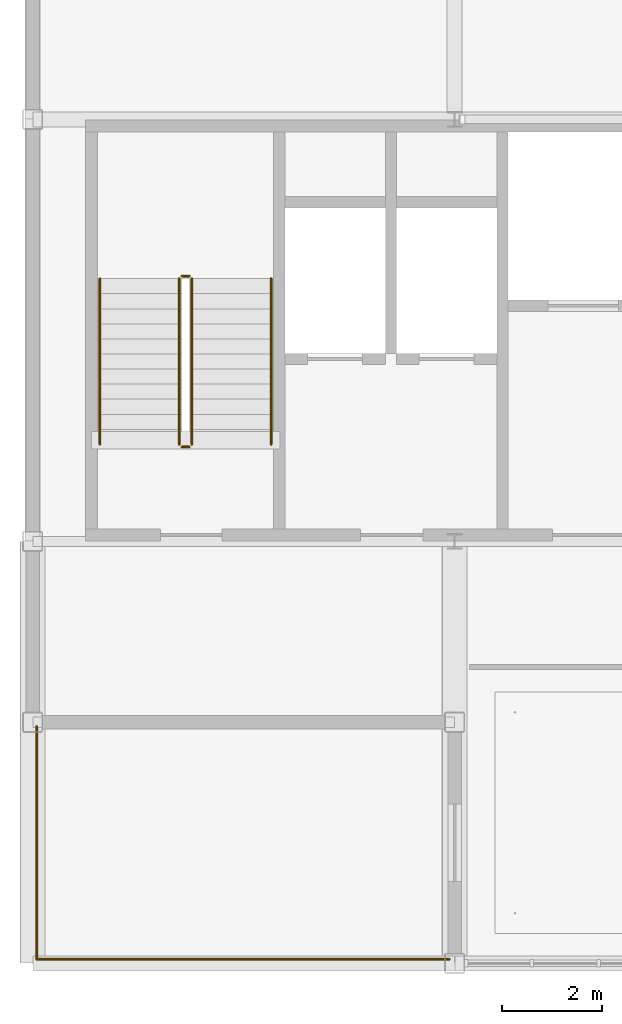
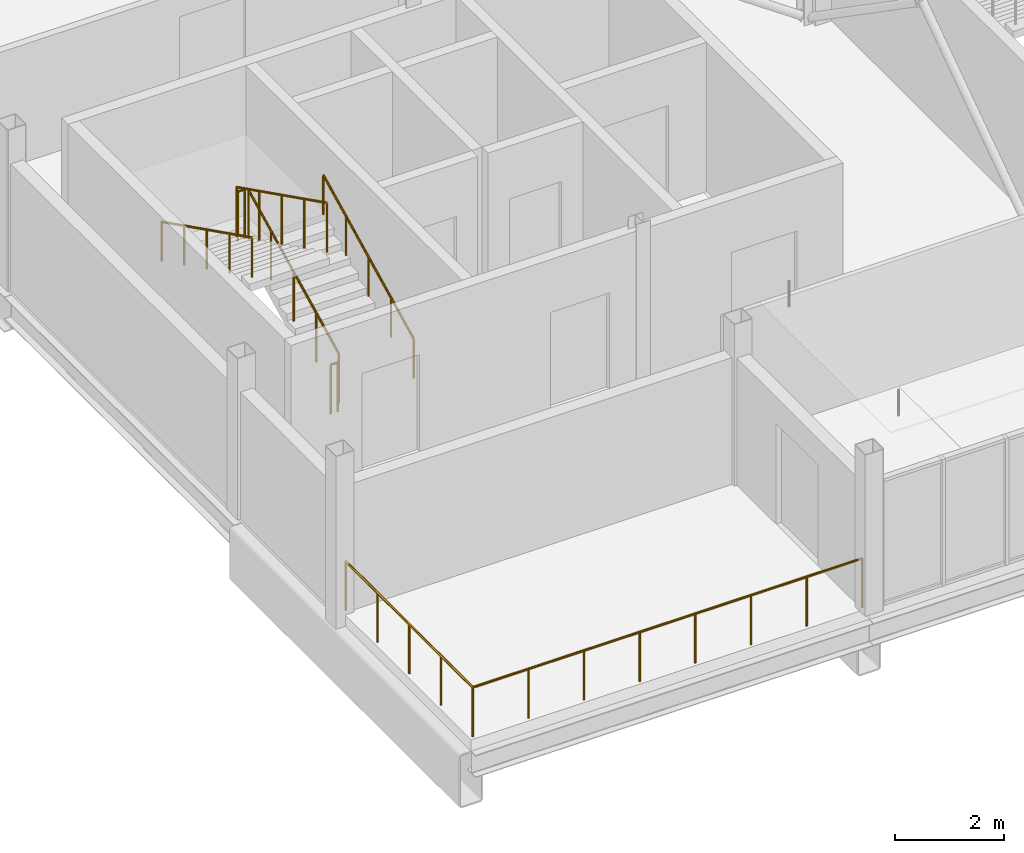
# One storey, part 16 of 17: 7 railings.
"""IFC4 building model written with IfcOpenShell, lengths in metres."""

from ifc_helpers import new_model, si_unit, direction, frame, origin, origin_2d, place, context, subcontext, project, spatial, circle, extrude, material, layer, layer_set, type_object, element, save


model = new_model("IFC4")

# Units and contexts
model_context = context("Model", 3, precision=1e-05, world=origin(), true_north=direction((0.0, 1.0)))
body_context = subcontext(model_context, "Body", "Model", "MODEL_VIEW")
ifc_project = project(units=[si_unit("LENGTHUNIT", "METRE"), si_unit("AREAUNIT", "SQUARE_METRE"), si_unit("VOLUMEUNIT", "CUBIC_METRE"), si_unit("PLANEANGLEUNIT", "RADIAN"), si_unit("MASSUNIT", "GRAM", prefix="KILO")], contexts=[model_context])

# Site, building, storey
site_placement = place(None, origin())
site = spatial("IfcSite", under=ifc_project, at=site_placement, CompositionType="ELEMENT")
building_placement = place(site_placement, origin())
building = spatial("IfcBuilding", under=site, at=building_placement, Name="Yukiwa Park Conservatory and Herbarium", CompositionType="ELEMENT")
storey_placement = place(building_placement, frame((0.0, 0.0, 57.60009765625)))
storey = spatial("IfcBuildingStorey", under=building, at=storey_placement, Name="L15", CompositionType="ELEMENT", Elevation=57.60009765625)

# Railings
ifc_material_1 = material(Name="Steel Q235B", Category="steel")
ifc_layer_1 = layer(ifc_material_1, 0.050048828125)
ifc_layer_set_1 = layer_set([ifc_layer_1], Name="Steel Q235B")
railing_type_1 = type_object("IfcRailingType", Name="RL-STAIR-GUARD-1120", PredefinedType="BALUSTRADE", material=ifc_layer_set_1)
railing_1_placement = place(storey_placement, frame((136.3701171875, 96.72998046875, 0.14990234375)))
element("IfcRailing", 1, at=railing_1_placement, inside=storey, type_object=railing_type_1, Name="L15 ST-T1 stair guard 1", PredefinedType="BALUSTRADE", context=body_context, shape_type="SweptSolid", body=[
    extrude(circle(Radius=0.02392578125, at=origin_2d()), frame((0.0, 0.0, 1.09619140625), z_axis=(0.0, 0.894440424912, 0.447187126696), x_axis=(-1.0, 0.0, 0.0)), (0.0, 0.0, 1.0), 3.689453125),
    extrude(circle(Radius=0.02099609375, at=origin_2d()), origin(), (0.0, 0.0, 1.0), 1.072021484375),
    extrude(circle(Radius=0.02099609375, at=origin_2d()), frame((0.0, 0.824951171875, 0.41259765625)), (0.0, 0.0, 1.0), 1.072021484375),
    extrude(circle(Radius=0.02099609375, at=origin_2d()), frame((0.0, 1.64990234375, 0.824951171875)), (0.0, 0.0, 1.0), 1.072021484375),
    extrude(circle(Radius=0.02099609375, at=origin_2d()), frame((0.0, 2.47509765625, 1.2373046875)), (0.0, 0.0, 1.0), 1.072021484375),
    extrude(circle(Radius=0.02099609375, at=origin_2d()), frame((0.0, 3.300048828125, 1.64990234375)), (0.0, 0.0, 1.0), 1.072021484375),
])
railing_2_placement = place(storey_placement, frame((136.320068359375, 100.080078125, 1.7998046875)))
element("IfcRailing", 2, at=railing_2_placement, inside=storey, type_object=railing_type_1, Name="L15 ST-T1 stair guard 2", PredefinedType="BALUSTRADE", context=body_context, shape_type="SweptSolid", body=[
    extrude(circle(Radius=0.02392578125, at=origin_2d()), frame((0.0, 0.0, 1.09619140625), z_axis=(-1.0, 0.0, 0.0), x_axis=(0.0, -1.0, 0.0)), (0.0, 0.0, 1.0), 0.150146484375),
    extrude(circle(Radius=0.02099609375, at=origin_2d()), origin(), (0.0, 0.0, 1.0), 1.072021484375),
    extrude(circle(Radius=0.02099609375, at=origin_2d()), frame((-0.150146484375, 0.0, 0.0)), (0.0, 0.0, 1.0), 1.072021484375),
])
railing_3_placement = place(storey_placement, frame((136.1201171875, 100.030029296875, 1.949951171875)))
element("IfcRailing", 3, at=railing_3_placement, inside=storey, type_object=railing_type_1, Name="L15 ST-T1 stair guard 3", PredefinedType="BALUSTRADE", context=body_context, shape_type="SweptSolid", body=[
    extrude(circle(Radius=0.02392578125, at=origin_2d()), frame((0.0, 0.0, 1.09619140625), z_axis=(0.0, -0.894440424912, 0.447187126696), x_axis=(1.0, 0.0, 0.0)), (0.0, 0.0, 1.0), 3.689453125),
    extrude(circle(Radius=0.02099609375, at=origin_2d()), origin(), (0.0, 0.0, 1.0), 1.072021484375),
    extrude(circle(Radius=0.02099609375, at=origin_2d()), frame((0.0, -0.824951171875, 0.41259765625)), (0.0, 0.0, 1.0), 1.072021484375),
    extrude(circle(Radius=0.02099609375, at=origin_2d()), frame((0.0, -1.64990234375, 0.824951171875)), (0.0, 0.0, 1.0), 1.072021484375),
    extrude(circle(Radius=0.02099609375, at=origin_2d()), frame((0.0, -2.47509765625, 1.2373046875)), (0.0, 0.0, 1.0), 1.072021484375),
    extrude(circle(Radius=0.02099609375, at=origin_2d()), frame((0.0, -3.300048828125, 1.64990234375)), (0.0, 0.0, 1.0), 1.072021484375),
])
railing_4_placement = place(storey_placement, frame((136.320068359375, 96.679931640625, 0.0)))
element("IfcRailing", 4, at=railing_4_placement, inside=storey, type_object=railing_type_1, Name="L15 ST-T1 stair guard 4", PredefinedType="BALUSTRADE", context=body_context, shape_type="SweptSolid", body=[
    extrude(circle(Radius=0.02392578125, at=origin_2d()), frame((0.0, 0.0, 1.09619140625), z_axis=(-1.0, 0.0, 0.0), x_axis=(0.0, -1.0, 0.0)), (0.0, 0.0, 1.0), 0.150146484375),
    extrude(circle(Radius=0.02099609375, at=origin_2d()), origin(), (0.0, 0.0, 1.0), 1.072021484375),
    extrude(circle(Radius=0.02099609375, at=origin_2d()), frame((-0.150146484375, 0.0, 0.0)), (0.0, 0.0, 1.0), 1.072021484375),
])
ifc_material_2 = material(Name="Steel Q235B", Category="steel")
ifc_layer_2 = layer(ifc_material_2, 0.044921875)
ifc_layer_set_2 = layer_set([ifc_layer_2], Name="Steel Q235B")
railing_type_2 = type_object("IfcRailingType", Name="RL-STAIR-RAIL-900", PredefinedType="HANDRAIL", material=ifc_layer_set_2)
railing_5_placement = place(storey_placement, frame((137.949951171875, 96.72998046875, 0.14990234375)))
element("IfcRailing", 5, at=railing_5_placement, inside=storey, type_object=railing_type_2, Name="L15 ST-T1 stair handrail 1", PredefinedType="HANDRAIL", context=body_context, shape_type="SweptSolid", body=[
    extrude(circle(Radius=0.02392578125, at=origin_2d()), frame((0.0, 0.0, 0.8759765625), z_axis=(0.0, 0.894440424912, 0.447187126696), x_axis=(-1.0, 0.0, 0.0)), (0.0, 0.0, 1.0), 3.689453125),
    extrude(circle(Radius=0.02099609375, at=origin_2d()), origin(), (0.0, 0.0, 1.0), 0.851806640625),
    extrude(circle(Radius=0.02099609375, at=origin_2d()), frame((0.0, 0.824951171875, 0.41259765625)), (0.0, 0.0, 1.0), 0.851806640625),
    extrude(circle(Radius=0.02099609375, at=origin_2d()), frame((0.0, 1.64990234375, 0.824951171875)), (0.0, 0.0, 1.0), 0.851806640625),
    extrude(circle(Radius=0.02099609375, at=origin_2d()), frame((0.0, 2.47509765625, 1.2373046875)), (0.0, 0.0, 1.0), 0.851806640625),
    extrude(circle(Radius=0.02099609375, at=origin_2d()), frame((0.0, 3.300048828125, 1.64990234375)), (0.0, 0.0, 1.0), 0.851806640625),
])
railing_6_placement = place(storey_placement, frame((134.5400390625, 100.030029296875, 1.949951171875)))
element("IfcRailing", 6, at=railing_6_placement, inside=storey, type_object=railing_type_2, Name="L15 ST-T1 stair handrail 2", PredefinedType="HANDRAIL", context=body_context, shape_type="SweptSolid", body=[
    extrude(circle(Radius=0.02392578125, at=origin_2d()), frame((0.0, 0.0, 0.8759765625), z_axis=(0.0, -0.894440424912, 0.447187126696), x_axis=(1.0, 0.0, 0.0)), (0.0, 0.0, 1.0), 3.689453125),
    extrude(circle(Radius=0.02099609375, at=origin_2d()), origin(), (0.0, 0.0, 1.0), 0.851806640625),
    extrude(circle(Radius=0.02099609375, at=origin_2d()), frame((0.0, -0.824951171875, 0.41259765625)), (0.0, 0.0, 1.0), 0.851806640625),
    extrude(circle(Radius=0.02099609375, at=origin_2d()), frame((0.0, -1.64990234375, 0.824951171875)), (0.0, 0.0, 1.0), 0.851806640625),
    extrude(circle(Radius=0.02099609375, at=origin_2d()), frame((0.0, -2.47509765625, 1.2373046875)), (0.0, 0.0, 1.0), 0.851806640625),
    extrude(circle(Radius=0.02099609375, at=origin_2d()), frame((0.0, -3.300048828125, 1.64990234375)), (0.0, 0.0, 1.0), 0.851806640625),
])
ifc_material_3 = material(Name="Steel Q235B", Category="steel")
ifc_layer_3 = layer(ifc_material_3, 0.06005859375)
ifc_layer_set_3 = layer_set([ifc_layer_3], Name="Steel Q235B")
railing_type_3 = type_object("IfcRailingType", Name="RL-TERRACE-GUARD-1120", PredefinedType="BALUSTRADE", material=ifc_layer_set_3)
railing_7_placement = place(storey_placement, frame((141.5, 86.47998046875, 0.0)))
element("IfcRailing", 7, at=railing_7_placement, inside=storey, type_object=railing_type_3, Name="L15 outdoor terrace guard balustrade RL-TER-L15-OB", PredefinedType="BALUSTRADE", context=body_context, shape_type="SweptSolid", body=[
    extrude(circle(Radius=0.02392578125, at=origin_2d()), frame((0.0, 0.0, 1.09619140625), z_axis=(-1.0, 0.0, 0.0), x_axis=(0.0, -1.0, 0.0)), (0.0, 0.0, 1.0), 8.219970703125),
    extrude(circle(Radius=0.02392578125, at=origin_2d()), frame((-8.219970703125, 0.0, 1.09619140625), z_axis=(0.0, 1.0, 0.0), x_axis=(-1.0, 0.0, 0.0)), (0.0, 0.0, 1.0), 4.64013671875),
    extrude(circle(Radius=0.02099609375, at=origin_2d()), origin(), (0.0, 0.0, 1.0), 1.072021484375),
    extrude(circle(Radius=0.02099609375, at=origin_2d()), frame((-1.17431640625, 0.0, 0.0)), (0.0, 0.0, 1.0), 1.072021484375),
    extrude(circle(Radius=0.02099609375, at=origin_2d()), frame((-2.3486328125, 0.0, 0.0)), (0.0, 0.0, 1.0), 1.072021484375),
    extrude(circle(Radius=0.02099609375, at=origin_2d()), frame((-3.52294921875, 0.0, 0.0)), (0.0, 0.0, 1.0), 1.072021484375),
    extrude(circle(Radius=0.02099609375, at=origin_2d()), frame((-4.697021484375, 0.0, 0.0)), (0.0, 0.0, 1.0), 1.072021484375),
    extrude(circle(Radius=0.02099609375, at=origin_2d()), frame((-5.871337890625, 0.0, 0.0)), (0.0, 0.0, 1.0), 1.072021484375),
    extrude(circle(Radius=0.02099609375, at=origin_2d()), frame((-7.045654296875, 0.0, 0.0)), (0.0, 0.0, 1.0), 1.072021484375),
    extrude(circle(Radius=0.02099609375, at=origin_2d()), frame((-8.219970703125, 0.0, 0.0)), (0.0, 0.0, 1.0), 1.072021484375),
    extrude(circle(Radius=0.02099609375, at=origin_2d()), frame((-8.219970703125, 1.16015625, 0.0)), (0.0, 0.0, 1.0), 1.072021484375),
    extrude(circle(Radius=0.02099609375, at=origin_2d()), frame((-8.219970703125, 2.320068359375, 0.0)), (0.0, 0.0, 1.0), 1.072021484375),
    extrude(circle(Radius=0.02099609375, at=origin_2d()), frame((-8.219970703125, 3.47998046875, 0.0)), (0.0, 0.0, 1.0), 1.072021484375),
    extrude(circle(Radius=0.02099609375, at=origin_2d()), frame((-8.219970703125, 4.64013671875, 0.0)), (0.0, 0.0, 1.0), 1.072021484375),
])

save(model, "model.ifc")
